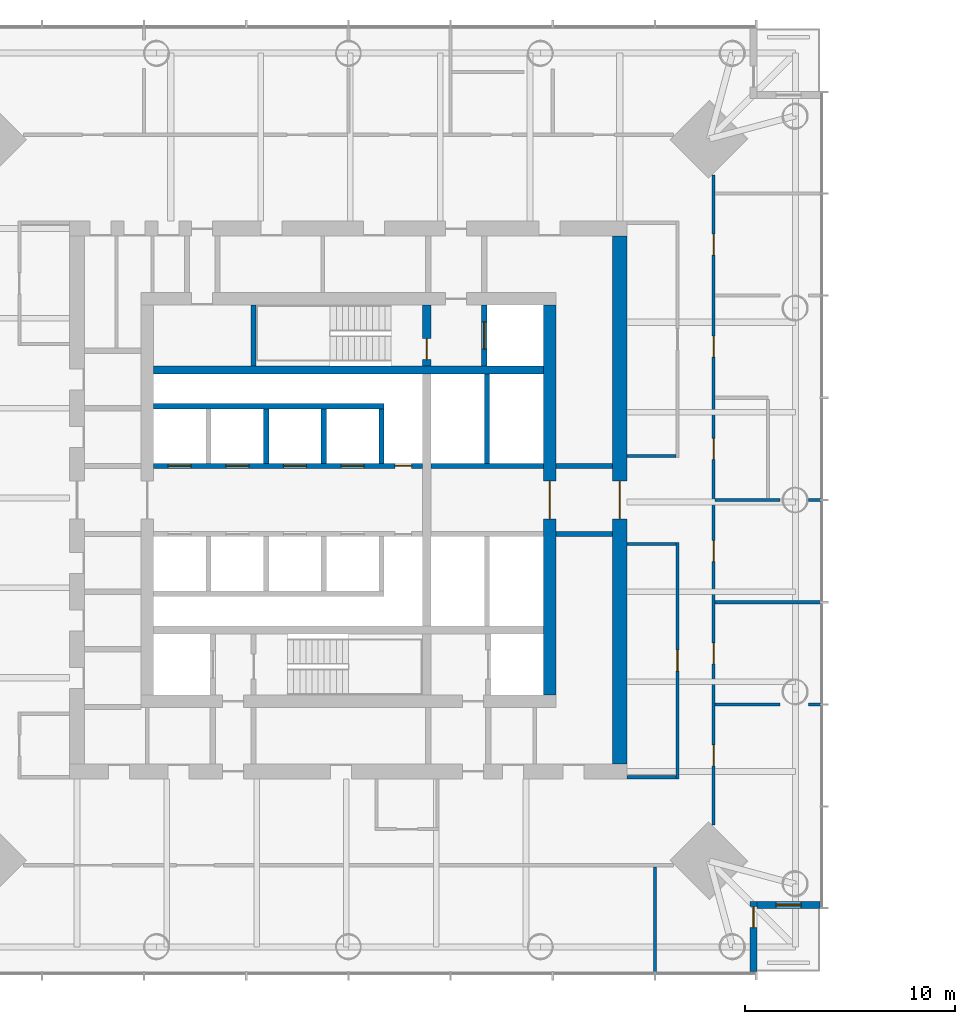
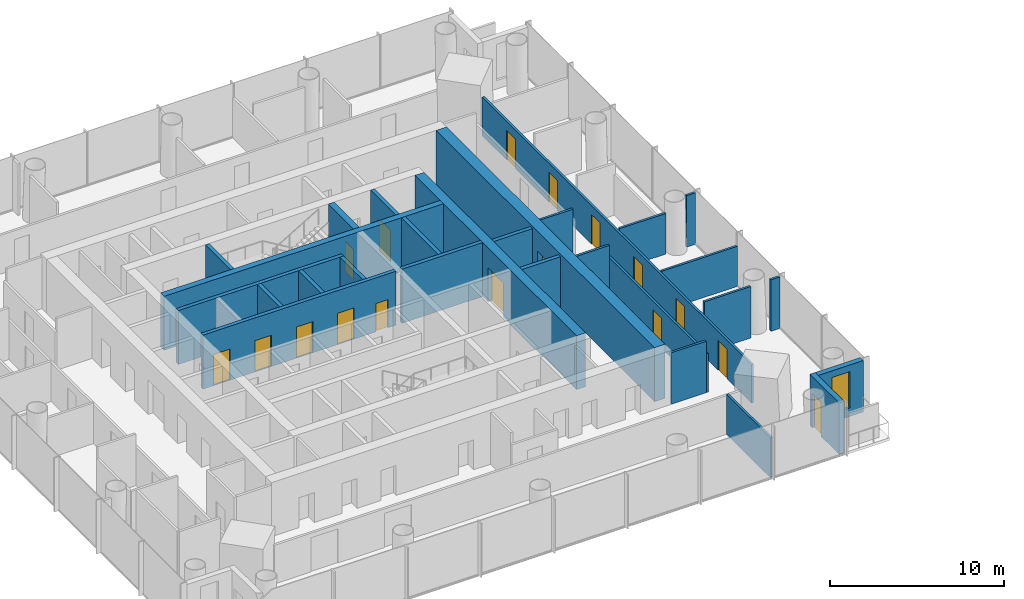
# One storey, part 10 of 18: 28 walls, 17 doors, 1 window, 18 openings.
"""IFC4 building model written with IfcOpenShell, lengths in metres."""

from ifc_helpers import new_model, si_unit, direction, frame, frame_2d, origin, place, context, subcontext, project, spatial, rectangle, extrude, material, layer, layer_set, type_object, element, fill, save


model = new_model("IFC4")

# Units and contexts
model_context = context("Model", 3, precision=1e-05, world=origin(), true_north=direction((0.0, 1.0)))
body_context = subcontext(model_context, "Body", "Model", "MODEL_VIEW")
ifc_project = project(units=[si_unit("LENGTHUNIT", "METRE"), si_unit("AREAUNIT", "SQUARE_METRE"), si_unit("VOLUMEUNIT", "CUBIC_METRE"), si_unit("PLANEANGLEUNIT", "RADIAN"), si_unit("MASSUNIT", "GRAM", prefix="KILO")], contexts=[model_context])

# Site, building, storey
site_placement = place(None, origin())
site = spatial("IfcSite", under=ifc_project, at=site_placement, CompositionType="ELEMENT")
building_placement = place(site_placement, origin())
building = spatial("IfcBuilding", under=site, at=building_placement, Name="Ostroluk Exchange", CompositionType="ELEMENT")
storey_placement = place(building_placement, frame((0.0, 0.0, 104.60009765625)))
storey = spatial("IfcBuildingStorey", under=building, at=storey_placement, Name="L26", CompositionType="ELEMENT", Elevation=104.60009765625)

# Walls
ifc_material_1 = material(Name="Concrete blockwork", Category="masonry")
ifc_layer_1 = layer(ifc_material_1, 0.25)
ifc_layer_set_1 = layer_set([ifc_layer_1], Name="Blockwork stair enclosure wall 250")
wall_type_1 = type_object("IfcWallType", Name="Blockwork stair enclosure wall 250", PredefinedType="SOLIDWALL", material=ifc_layer_set_1)
for number, where, z_axis, x_axis, name in (
    (1, (54.89990234375, 44.375, 0.0), (0.0, 0.0, 1.0), (1.0, 0.0, 0.0), "Lift lobby enclosure wall"),
    (2, (54.89990234375, 47.625, 0.0), (0.0, 0.0, 1.0), (1.0, 0.0, 0.0), "Lift lobby enclosure wall"),
):
    element("IfcWall", number, at=place(storey_placement, frame(where, z_axis=z_axis, x_axis=x_axis)), inside=storey, type_object=wall_type_1, Name=name, PredefinedType="SOLIDWALL", context=body_context, shape_type="SweptSolid", body=[
        extrude(rectangle(XDim=2.7001953125, YDim=0.25, at=frame_2d((1.35009765625, 0.0))), origin(), (0.0, 0.0, 1.0), 3.619873046875),
    ])
ifc_material_2 = material(Name="Concrete C50/60", Category="concrete")
ifc_layer_2 = layer(ifc_material_2, 0.39990234375)
ifc_layer_set_2 = layer_set([ifc_layer_2], Name="Core cross wall 400 C50/60")
wall_type_2 = type_object("IfcWallType", Name="Core cross wall 400 C50/60", PredefinedType="SHEAR", material=ifc_layer_set_2)
wall_1_placement = place(storey_placement, frame((35.699951171875, 52.199951171875, 0.0), z_axis=(0.0, 0.0, 1.0), x_axis=(1.0, 0.0, 0.0)))
element("IfcWall", 3, at=wall_1_placement, inside=storey, type_object=wall_type_2, Name="T1 core wall XN", PredefinedType="SHEAR", context=body_context, shape_type="SweptSolid", body=[
    extrude(rectangle(XDim=18.60009765625, YDim=0.39990234375, at=frame_2d((9.300048828125, 0.0))), origin(), (0.0, 0.0, 1.0), 3.7998046875),
])

# Wall, opening, door
wall_2_placement = place(storey_placement, frame((48.72998046875, 52.39990234375, 0.0), z_axis=(0.0, 0.0, 1.0), x_axis=(0.0, 1.0, 0.0)))
wall_2 = element("IfcWall", 4, at=wall_2_placement, inside=storey, type_object=wall_type_2, Name="T1 core wall YE3", PredefinedType="SHEAR", context=body_context, shape_type="SweptSolid", body=[
    extrude(rectangle(XDim=2.900146484375, YDim=0.39990234375, at=frame_2d((1.4501953125, 0.0))), origin(), (0.0, 0.0, 1.0), 3.7998046875),
])
opening_1_placement = place(wall_2_placement, frame((0.300048828125, 0.0, 0.0)))
opening_1 = element("IfcOpeningElement", 5, at=opening_1_placement, cuts=wall_2, Name="Opening FD60", PredefinedType="OPENING", context=body_context, shape_type="SweptSolid", body=[
    extrude(rectangle(XDim=1.0, YDim=2.10009765625, at=frame_2d((0.5, 1.050048828125))), frame((0.0, 0.2099609375, 0.0), z_axis=(0.0, -1.0, 0.0), x_axis=(1.0, 0.0, 0.0)), (0.0, 0.0, 1.0), 0.419921875),
])
ifc_material_3 = material(Name="Steel", Category="steel")
door_type_1 = type_object("IfcDoorType", Name="Fire door EI 60 1000 x 2100", OperationType="SINGLE_SWING_LEFT", PredefinedType="DOOR", material=ifc_material_3)
door_1_placement = place(opening_1_placement, origin())
door_1 = element("IfcDoor", 6, at=door_1_placement, inside=storey, type_object=door_type_1, Name="Stair T1-S2 door", OperationType="SINGLE_SWING_LEFT", OverallHeight=2.10009765625, OverallWidth=1.0, PredefinedType="DOOR", context=body_context, shape_type="SweptSolid", body=[
    extrude(rectangle(XDim=1.0, YDim=2.10009765625, at=frame_2d((0.5, 1.050048828125))), frame((0.0, 0.02490234375, 0.0), z_axis=(0.0, -1.0, 0.0), x_axis=(1.0, 0.0, 0.0)), (0.0, 0.0, 1.0), 0.050048828125),
])
fill(opening_1, door_1)

# Wall
ifc_material_4 = material(Name="Concrete C40/50", Category="concrete")
ifc_layer_3 = layer(ifc_material_4, 0.25)
ifc_layer_set_3 = layer_set([ifc_layer_3], Name="Core shaft wall 250")
wall_type_3 = type_object("IfcWallType", Name="Core shaft wall 250", PredefinedType="SHEAR", material=ifc_layer_set_3)
wall_3_placement = place(storey_placement, frame((40.47509765625, 52.39990234375, 0.0), z_axis=(0.0, 0.0, 1.0), x_axis=(0.0, 1.0, 0.0)))
element("IfcWall", 7, at=wall_3_placement, inside=storey, type_object=wall_type_3, Name="Stair shaft wall", PredefinedType="SHEAR", context=body_context, shape_type="SweptSolid", body=[
    extrude(rectangle(XDim=2.900146484375, YDim=0.25, at=frame_2d((1.4501953125, 0.0))), origin(), (0.0, 0.0, 1.0), 3.7998046875),
])

# Wall, opening, door
wall_4_placement = place(storey_placement, frame((51.47509765625, 52.39990234375, 0.0), z_axis=(0.0, 0.0, 1.0), x_axis=(0.0, 1.0, 0.0)))
wall_4 = element("IfcWall", 8, at=wall_4_placement, inside=storey, type_object=wall_type_3, Name="Firefighting lift shaft wall", PredefinedType="SHEAR", context=body_context, shape_type="SweptSolid", body=[
    extrude(rectangle(XDim=2.900146484375, YDim=0.25, at=frame_2d((1.4501953125, 0.0))), origin(), (0.0, 0.0, 1.0), 3.7998046875),
])
opening_2_placement = place(wall_4_placement, frame((0.800048828125, 0.0, 0.0)))
opening_2 = element("IfcOpeningElement", 9, at=opening_2_placement, cuts=wall_4, Name="Opening LD2", PredefinedType="OPENING", context=body_context, shape_type="SweptSolid", body=[
    extrude(rectangle(XDim=1.300048828125, YDim=2.199951171875, at=frame_2d((0.64990234375, 1.10009765625))), frame((0.0, 0.135009765625, 0.0), z_axis=(0.0, -1.0, 0.0), x_axis=(1.0, 0.0, 0.0)), (0.0, 0.0, 1.0), 0.27001953125),
])
ifc_material_5 = material(Name="Stainless steel", Category="steel")
door_type_2 = type_object("IfcDoorType", Name="Lift landing door E 60 1300 x 2200", OperationType="DOUBLE_DOOR_SLIDING", PredefinedType="DOOR", material=ifc_material_5)
door_2_placement = place(opening_2_placement, origin())
door_2 = element("IfcDoor", 10, at=door_2_placement, inside=storey, type_object=door_type_2, Name="Lift FL2 landing door", OperationType="DOUBLE_DOOR_SLIDING", OverallHeight=2.199951171875, OverallWidth=1.300048828125, PredefinedType="DOOR", context=body_context, shape_type="SweptSolid", body=[
    extrude(rectangle(XDim=1.300048828125, YDim=2.199951171875, at=frame_2d((0.64990234375, 1.10009765625))), frame((0.0, 0.02490234375, 0.0), z_axis=(0.0, -1.0, 0.0), x_axis=(1.0, 0.0, 0.0)), (0.0, 0.0, 1.0), 0.050048828125),
])
fill(opening_2, door_2)

# Walls
for number, where, z_axis, x_axis, name in (
    (11, (41.074951171875, 47.75, 0.0), (0.0, 0.0, 1.0), (0.0, 1.0, 0.0), "Lift shaft wall"),
    (12, (43.824951171875, 47.75, 0.0), (0.0, 0.0, 1.0), (0.0, 1.0, 0.0), "Lift shaft wall"),
    (13, (46.574951171875, 47.75, 0.0), (0.0, 0.0, 1.0), (0.0, 1.0, 0.0), "Lift shaft wall"),
):
    element("IfcWall", number, at=place(storey_placement, frame(where, z_axis=z_axis, x_axis=x_axis)), inside=storey, type_object=wall_type_3, Name=name, PredefinedType="SHEAR", context=body_context, shape_type="SweptSolid", body=[
        extrude(rectangle(XDim=2.60009765625, YDim=0.25, at=frame_2d((1.300048828125, 0.0))), origin(), (0.0, 0.0, 1.0), 3.7998046875),
    ])
wall_5_placement = place(storey_placement, frame((35.699951171875, 50.47509765625, 0.0), z_axis=(0.0, 0.0, 1.0), x_axis=(1.0, 0.0, 0.0)))
element("IfcWall", 14, at=wall_5_placement, inside=storey, type_object=wall_type_3, Name="Lift shaft wall", PredefinedType="SHEAR", context=body_context, shape_type="SweptSolid", body=[
    extrude(rectangle(XDim=11.0, YDim=0.25, at=frame_2d((5.5, 0.0))), origin(), (0.0, 0.0, 1.0), 3.7998046875),
])

# Wall, openings, doors
wall_6_placement = place(storey_placement, frame((35.699951171875, 47.625, 0.0), z_axis=(0.0, 0.0, 1.0), x_axis=(1.0, 0.0, 0.0)))
wall_6 = element("IfcWall", 15, at=wall_6_placement, inside=storey, type_object=wall_type_3, Name="Lift shaft front wall", PredefinedType="SHEAR", context=body_context, shape_type="SweptSolid", body=[
    extrude(rectangle(XDim=12.830078125, YDim=0.25, at=frame_2d((6.4150390625, 0.0))), origin(), (0.0, 0.0, 1.0), 3.7998046875),
])
opening_3_placement = place(wall_6_placement, frame((0.699951171875, 0.0, 0.0)))
opening_3 = element("IfcOpeningElement", 16, at=opening_3_placement, cuts=wall_6, Name="Opening LD", PredefinedType="OPENING", context=body_context, shape_type="SweptSolid", body=[
    extrude(rectangle(XDim=1.10009765625, YDim=2.199951171875, at=frame_2d((0.550048828125, 1.10009765625))), frame((0.0, 0.135009765625, 0.0), z_axis=(0.0, -1.0, 0.0), x_axis=(1.0, 0.0, 0.0)), (0.0, 0.0, 1.0), 0.27001953125),
])
opening_4_placement = place(wall_6_placement, frame((3.449951171875, 0.0, 0.0)))
opening_4 = element("IfcOpeningElement", 17, at=opening_4_placement, cuts=wall_6, Name="Opening LD", PredefinedType="OPENING", context=body_context, shape_type="SweptSolid", body=[
    extrude(rectangle(XDim=1.10009765625, YDim=2.199951171875, at=frame_2d((0.550048828125, 1.10009765625))), frame((0.0, 0.135009765625, 0.0), z_axis=(0.0, -1.0, 0.0), x_axis=(1.0, 0.0, 0.0)), (0.0, 0.0, 1.0), 0.27001953125),
])
opening_5_placement = place(wall_6_placement, frame((6.199951171875, 0.0, 0.0)))
opening_5 = element("IfcOpeningElement", 18, at=opening_5_placement, cuts=wall_6, Name="Opening LD", PredefinedType="OPENING", context=body_context, shape_type="SweptSolid", body=[
    extrude(rectangle(XDim=1.10009765625, YDim=2.199951171875, at=frame_2d((0.550048828125, 1.10009765625))), frame((0.0, 0.135009765625, 0.0), z_axis=(0.0, -1.0, 0.0), x_axis=(1.0, 0.0, 0.0)), (0.0, 0.0, 1.0), 0.27001953125),
])
opening_6_placement = place(wall_6_placement, frame((8.949951171875, 0.0, 0.0)))
opening_6 = element("IfcOpeningElement", 19, at=opening_6_placement, cuts=wall_6, Name="Opening LD", PredefinedType="OPENING", context=body_context, shape_type="SweptSolid", body=[
    extrude(rectangle(XDim=1.10009765625, YDim=2.199951171875, at=frame_2d((0.550048828125, 1.10009765625))), frame((0.0, 0.135009765625, 0.0), z_axis=(0.0, -1.0, 0.0), x_axis=(1.0, 0.0, 0.0)), (0.0, 0.0, 1.0), 0.27001953125),
])
opening_7_placement = place(wall_6_placement, frame((11.514892578125, 0.0, 0.0)))
opening_7 = element("IfcOpeningElement", 20, at=opening_7_placement, cuts=wall_6, Name="Opening RD60", PredefinedType="OPENING", context=body_context, shape_type="SweptSolid", body=[
    extrude(rectangle(XDim=0.800048828125, YDim=2.0, at=frame_2d((0.39990234375, 1.0))), frame((0.0, 0.135009765625, 0.0), z_axis=(0.0, -1.0, 0.0), x_axis=(1.0, 0.0, 0.0)), (0.0, 0.0, 1.0), 0.27001953125),
])
ifc_material_6 = material(Name="Stainless steel", Category="steel")
door_type_3 = type_object("IfcDoorType", Name="Lift landing door E 60 1100 x 2200", OperationType="DOUBLE_DOOR_SLIDING", PredefinedType="DOOR", material=ifc_material_6)
door_3_placement = place(opening_3_placement, origin())
door_3 = element("IfcDoor", 21, at=door_3_placement, inside=storey, type_object=door_type_3, Name="Lift PL-M1 landing door", OperationType="DOUBLE_DOOR_SLIDING", OverallHeight=2.199951171875, OverallWidth=1.10009765625, PredefinedType="DOOR", context=body_context, shape_type="SweptSolid", body=[
    extrude(rectangle(XDim=1.10009765625, YDim=2.199951171875, at=frame_2d((0.550048828125, 1.10009765625))), frame((0.0, 0.02490234375, 0.0), z_axis=(0.0, -1.0, 0.0), x_axis=(1.0, 0.0, 0.0)), (0.0, 0.0, 1.0), 0.050048828125),
])
fill(opening_3, door_3)
door_4_placement = place(opening_4_placement, origin())
door_4 = element("IfcDoor", 22, at=door_4_placement, inside=storey, type_object=door_type_3, Name="Lift PL-M2 landing door", OperationType="DOUBLE_DOOR_SLIDING", OverallHeight=2.199951171875, OverallWidth=1.10009765625, PredefinedType="DOOR", context=body_context, shape_type="SweptSolid", body=[
    extrude(rectangle(XDim=1.10009765625, YDim=2.199951171875, at=frame_2d((0.550048828125, 1.10009765625))), frame((0.0, 0.02490234375, 0.0), z_axis=(0.0, -1.0, 0.0), x_axis=(1.0, 0.0, 0.0)), (0.0, 0.0, 1.0), 0.050048828125),
])
fill(opening_4, door_4)
door_5_placement = place(opening_5_placement, origin())
door_5 = element("IfcDoor", 23, at=door_5_placement, inside=storey, type_object=door_type_3, Name="Lift PL-M3 landing door", OperationType="DOUBLE_DOOR_SLIDING", OverallHeight=2.199951171875, OverallWidth=1.10009765625, PredefinedType="DOOR", context=body_context, shape_type="SweptSolid", body=[
    extrude(rectangle(XDim=1.10009765625, YDim=2.199951171875, at=frame_2d((0.550048828125, 1.10009765625))), frame((0.0, 0.02490234375, 0.0), z_axis=(0.0, -1.0, 0.0), x_axis=(1.0, 0.0, 0.0)), (0.0, 0.0, 1.0), 0.050048828125),
])
fill(opening_5, door_5)
door_6_placement = place(opening_6_placement, origin())
door_6 = element("IfcDoor", 24, at=door_6_placement, inside=storey, type_object=door_type_3, Name="Lift PL-M4 landing door", OperationType="DOUBLE_DOOR_SLIDING", OverallHeight=2.199951171875, OverallWidth=1.10009765625, PredefinedType="DOOR", context=body_context, shape_type="SweptSolid", body=[
    extrude(rectangle(XDim=1.10009765625, YDim=2.199951171875, at=frame_2d((0.550048828125, 1.10009765625))), frame((0.0, 0.02490234375, 0.0), z_axis=(0.0, -1.0, 0.0), x_axis=(1.0, 0.0, 0.0)), (0.0, 0.0, 1.0), 0.050048828125),
])
fill(opening_6, door_6)
ifc_material_7 = material(Name="Steel", Category="steel")
door_type_4 = type_object("IfcDoorType", Name="Riser access door EI 60 800 x 2000", OperationType="SINGLE_SWING_LEFT", PredefinedType="DOOR", material=ifc_material_7)
door_7_placement = place(opening_7_placement, origin())
door_7 = element("IfcDoor", 25, at=door_7_placement, inside=storey, type_object=door_type_4, Name="Riser access door", OperationType="SINGLE_SWING_RIGHT", OverallHeight=2.0, OverallWidth=0.800048828125, PredefinedType="DOOR", context=body_context, shape_type="SweptSolid", body=[
    extrude(rectangle(XDim=0.800048828125, YDim=2.0, at=frame_2d((0.39990234375, 1.0))), frame((0.0, 0.02490234375, 0.0), z_axis=(0.0, -1.0, 0.0), x_axis=(1.0, 0.0, 0.0)), (0.0, 0.0, 1.0), 0.050048828125),
])
fill(opening_7, door_7)

# Walls
wall_7_placement = place(storey_placement, frame((51.614990234375, 47.75, 0.0), z_axis=(0.0, 0.0, 1.0), x_axis=(0.0, 1.0, 0.0)))
element("IfcWall", 26, at=wall_7_placement, inside=storey, type_object=wall_type_3, Name="Lift shaft wall", PredefinedType="SHEAR", context=body_context, shape_type="SweptSolid", body=[
    extrude(rectangle(XDim=4.25, YDim=0.25, at=frame_2d((2.125, 0.0))), origin(), (0.0, 0.0, 1.0), 3.7998046875),
])
wall_8_placement = place(storey_placement, frame((48.929931640625, 47.625, 0.0), z_axis=(0.0, 0.0, 1.0), x_axis=(1.0, 0.0, 0.0)))
element("IfcWall", 27, at=wall_8_placement, inside=storey, type_object=wall_type_3, Name="Lift shaft front wall", PredefinedType="SHEAR", context=body_context, shape_type="SweptSolid", body=[
    extrude(rectangle(XDim=5.3701171875, YDim=0.25, at=frame_2d((2.68505859375, 0.0))), origin(), (0.0, 0.0, 1.0), 3.7998046875),
])

# Wall, opening, door
ifc_material_8 = material(Name="Concrete C50/60", Category="concrete")
ifc_layer_4 = layer(ifc_material_8, 0.60009765625)
ifc_layer_set_4 = layer_set([ifc_layer_4], Name="Core wall 600 C50/60")
wall_type_4 = type_object("IfcWallType", Name="Core wall 600 C50/60", PredefinedType="SHEAR", material=ifc_layer_set_4)
wall_9_placement = place(storey_placement, frame((54.60009765625, 36.699951171875, 0.0), z_axis=(0.0, 0.0, 1.0), x_axis=(0.0, 1.0, 0.0)))
wall_9 = element("IfcWall", 28, at=wall_9_placement, inside=storey, type_object=wall_type_4, Name="T1 core wall E", PredefinedType="SHEAR", context=body_context, shape_type="SweptSolid", body=[
    extrude(rectangle(XDim=18.60009765625, YDim=0.60009765625, at=frame_2d((9.300048828125, 0.0))), origin(), (0.0, 0.0, 1.0), 3.7998046875),
])
opening_8_placement = place(wall_9_placement, frame((8.39990234375, 0.0, 0.0)))
opening_8 = element("IfcOpeningElement", 29, at=opening_8_placement, cuts=wall_9, Name="Opening FD30D", PredefinedType="OPENING", context=body_context, shape_type="SweptSolid", body=[
    extrude(rectangle(XDim=1.800048828125, YDim=2.39990234375, at=frame_2d((0.89990234375, 1.199951171875))), frame((0.0, 0.31005859375, 0.0), z_axis=(0.0, -1.0, 0.0), x_axis=(1.0, 0.0, 0.0)), (0.0, 0.0, 1.0), 0.6201171875),
])
ifc_material_9 = material(Name="Timber", Category="wood")
door_type_5 = type_object("IfcDoorType", Name="Lobby double door EI 30 1800 x 2400", OperationType="DOUBLE_DOOR_SINGLE_SWING", PredefinedType="DOOR", material=ifc_material_9)
door_8_placement = place(opening_8_placement, origin())
door_8 = element("IfcDoor", 30, at=door_8_placement, inside=storey, type_object=door_type_5, Name="Lift lobby doors", OperationType="DOUBLE_DOOR_SINGLE_SWING", OverallHeight=2.39990234375, OverallWidth=1.800048828125, PredefinedType="DOOR", context=body_context, shape_type="SweptSolid", body=[
    extrude(rectangle(XDim=1.800048828125, YDim=2.39990234375, at=frame_2d((0.89990234375, 1.199951171875))), frame((0.0, 0.02490234375, 0.0), z_axis=(0.0, -1.0, 0.0), x_axis=(1.0, 0.0, 0.0)), (0.0, 0.0, 1.0), 0.050048828125),
])
fill(opening_8, door_8)

ifc_material_10 = material(Name="Concrete C50/60", Category="concrete")
ifc_layer_5 = layer(ifc_material_10, 0.699951171875)
ifc_layer_set_5 = layer_set([ifc_layer_5], Name="Core wall 700 C50/60")
wall_type_5 = type_object("IfcWallType", Name="Core wall 700 C50/60", PredefinedType="SHEAR", material=ifc_layer_set_5)
wall_10_placement = place(storey_placement, frame((57.949951171875, 33.39990234375, 0.0), z_axis=(0.0, 0.0, 1.0), x_axis=(0.0, 1.0, 0.0)))
wall_10 = element("IfcWall", 31, at=wall_10_placement, inside=storey, type_object=wall_type_5, Name="T1 core wall RE", PredefinedType="SHEAR", context=body_context, shape_type="SweptSolid", body=[
    extrude(rectangle(XDim=25.2001953125, YDim=0.699951171875, at=frame_2d((12.60009765625, 0.0))), origin(), (0.0, 0.0, 1.0), 3.7998046875),
])
opening_9_placement = place(wall_10_placement, frame((11.699951171875, 0.0, 0.0)))
opening_9 = element("IfcOpeningElement", 32, at=opening_9_placement, cuts=wall_10, Name="Opening FD30D", PredefinedType="OPENING", context=body_context, shape_type="SweptSolid", body=[
    extrude(rectangle(XDim=1.800048828125, YDim=2.39990234375, at=frame_2d((0.89990234375, 1.199951171875))), frame((0.0, 0.35986328125, 0.0), z_axis=(0.0, -1.0, 0.0), x_axis=(1.0, 0.0, 0.0)), (0.0, 0.0, 1.0), 0.719970703125),
])
door_9_placement = place(opening_9_placement, origin())
door_9 = element("IfcDoor", 33, at=door_9_placement, inside=storey, type_object=door_type_5, Name="Lift lobby doors", OperationType="DOUBLE_DOOR_SINGLE_SWING", OverallHeight=2.39990234375, OverallWidth=1.800048828125, PredefinedType="DOOR", context=body_context, shape_type="SweptSolid", body=[
    extrude(rectangle(XDim=1.800048828125, YDim=2.39990234375, at=frame_2d((0.89990234375, 1.199951171875))), frame((0.0, 0.02490234375, 0.0), z_axis=(0.0, -1.0, 0.0), x_axis=(1.0, 0.0, 0.0)), (0.0, 0.0, 1.0), 0.050048828125),
])
fill(opening_9, door_9)

ifc_material_11 = material(Name="Limestone", Category="masonry")
ifc_layer_6 = layer(ifc_material_11, 0.35009765625)
ifc_layer_set_6 = layer_set([ifc_layer_6], Name="Limestone facade wall 350")
wall_type_6 = type_object("IfcWallType", Name="Limestone facade wall 350", PredefinedType="SOLIDWALL", material=ifc_layer_set_6)
wall_11_placement = place(storey_placement, frame((64.324951171875, 23.5, 0.0), z_axis=(0.0, 0.0, 1.0), x_axis=(0.0, 1.0, 0.0)))
wall_11 = element("IfcWall", 34, at=wall_11_placement, inside=storey, type_object=wall_type_6, Name="Office tower SE corner wall L26 a", PredefinedType="SOLIDWALL", context=body_context, shape_type="SweptSolid", body=[
    extrude(rectangle(XDim=3.35009765625, YDim=0.35009765625, at=frame_2d((1.675048828125, 0.0))), origin(), (0.0, 0.0, 1.0), 3.619873046875),
])
opening_10_placement = place(wall_11_placement, frame((2.10009765625, 0.0, 0.0)))
opening_10 = element("IfcOpeningElement", 35, at=opening_10_placement, cuts=wall_11, Name="Opening D-B1", PredefinedType="OPENING", context=body_context, shape_type="SweptSolid", body=[
    extrude(rectangle(XDim=1.0, YDim=2.39990234375, at=frame_2d((0.5, 1.199951171875))), frame((0.0, 0.18505859375, 0.0), z_axis=(0.0, -1.0, 0.0), x_axis=(1.0, 0.0, 0.0)), (0.0, 0.0, 1.0), 0.3701171875),
])
ifc_material_12 = material(Name="Bronze framed glazed door", Category="aluminium")
door_type_6 = type_object("IfcDoorType", Name="Balcony door 1000 x 2400", OperationType="SINGLE_SWING_LEFT", PredefinedType="DOOR", material=ifc_material_12)
door_10_placement = place(opening_10_placement, origin())
door_10 = element("IfcDoor", 36, at=door_10_placement, inside=storey, type_object=door_type_6, Name="Office tower SE balcony door L26", OperationType="SINGLE_SWING_RIGHT", OverallHeight=2.39990234375, OverallWidth=1.0, PredefinedType="DOOR", context=body_context, shape_type="SweptSolid", body=[
    extrude(rectangle(XDim=1.0, YDim=2.39990234375, at=frame_2d((0.5, 1.199951171875))), frame((0.0, 0.02490234375, 0.0), z_axis=(0.0, -1.0, 0.0), x_axis=(1.0, 0.0, 0.0)), (0.0, 0.0, 1.0), 0.050048828125),
])
fill(opening_10, door_10)

# Wall, opening, window
wall_12_placement = place(storey_placement, frame((64.5, 26.675048828125, 0.0), z_axis=(0.0, 0.0, 1.0), x_axis=(1.0, 0.0, 0.0)))
wall_12 = element("IfcWall", 37, at=wall_12_placement, inside=storey, type_object=wall_type_6, Name="Office tower SE corner wall L26 b", PredefinedType="SOLIDWALL", context=body_context, shape_type="SweptSolid", body=[
    extrude(rectangle(XDim=3.0, YDim=0.35009765625, at=frame_2d((1.5, 0.0))), origin(), (0.0, 0.0, 1.0), 3.619873046875),
])
opening_11_placement = place(wall_12_placement, frame((0.89990234375, 0.0, 0.60009765625)))
opening_11 = element("IfcOpeningElement", 38, at=opening_11_placement, cuts=wall_12, Name="Opening WN-L1", PredefinedType="OPENING", context=body_context, shape_type="SweptSolid", body=[
    extrude(rectangle(XDim=1.199951171875, YDim=2.550048828125, at=frame_2d((0.60009765625, 1.27490234375))), frame((0.0, 0.18505859375, 0.0), z_axis=(0.0, -1.0, 0.0), x_axis=(1.0, 0.0, 0.0)), (0.0, 0.0, 1.0), 0.3701171875),
])
ifc_material_13 = material(Name="Laminated clear glass", Category="glass")
window_type = type_object("IfcWindowType", Name="Lancet window 1200 x 2550", PartitioningType="SINGLE_PANEL", PredefinedType="WINDOW", material=ifc_material_13)
window_placement = place(opening_11_placement, origin())
window = element("IfcWindow", 39, at=window_placement, inside=storey, type_object=window_type, Name="Office tower SE lancet window L26", OverallHeight=2.550048828125, OverallWidth=1.199951171875, PartitioningType="SINGLE_PANEL", PredefinedType="WINDOW", context=body_context, shape_type="SweptSolid", body=[
    extrude(rectangle(XDim=1.199951171875, YDim=2.550048828125, at=frame_2d((0.60009765625, 1.27490234375))), frame((0.0, 0.030029296875, 0.0), z_axis=(0.0, -1.0, 0.0), x_axis=(1.0, 0.0, 0.0)), (0.0, 0.0, 1.0), 0.06005859375),
])
fill(opening_11, window)

# Wall, opening, door
ifc_material_14 = material(Name="Gypsum plasterboard partition", Category="gypsum")
ifc_layer_7 = layer(ifc_material_14, 0.14990234375)
ifc_layer_set_7 = layer_set([ifc_layer_7], Name="Plasterboard partition 150")
wall_type_7 = type_object("IfcWallType", Name="Plasterboard partition 150", PredefinedType="PARTITIONING", material=ifc_layer_set_7)
wall_13_placement = place(storey_placement, frame((60.699951171875, 32.699951171875, 0.0), z_axis=(0.0, 0.0, 1.0), x_axis=(0.0, 1.0, 0.0)))
wall_13 = element("IfcWall", 40, at=wall_13_placement, inside=storey, type_object=wall_type_7, Name="Partition", PredefinedType="PARTITIONING", context=body_context, shape_type="SweptSolid", body=[
    extrude(rectangle(XDim=11.275146484375, YDim=0.14990234375, at=frame_2d((5.6376953125, 0.0))), origin(), (0.0, 0.0, 1.0), 2.719970703125),
])
opening_12_placement = place(wall_13_placement, frame((5.137451171875, 0.0, 0.0)))
opening_12 = element("IfcOpeningElement", 41, at=opening_12_placement, cuts=wall_13, Name="Opening D-03", PredefinedType="OPENING", context=body_context, shape_type="SweptSolid", body=[
    extrude(rectangle(XDim=1.0, YDim=2.10009765625, at=frame_2d((0.5, 1.050048828125))), frame((0.0, 0.0849609375, 0.0), z_axis=(0.0, -1.0, 0.0), x_axis=(1.0, 0.0, 0.0)), (0.0, 0.0, 1.0), 0.169921875),
])
ifc_material_15 = material(Name="Timber", Category="wood")
door_type_7 = type_object("IfcDoorType", Name="Internal door 1000 x 2100", OperationType="SINGLE_SWING_LEFT", PredefinedType="DOOR", material=ifc_material_15)
door_11_placement = place(opening_12_placement, origin())
door_11 = element("IfcDoor", 42, at=door_11_placement, inside=storey, type_object=door_type_7, Name="Quiet room door", OperationType="SINGLE_SWING_RIGHT", OverallHeight=2.10009765625, OverallWidth=1.0, PredefinedType="DOOR", context=body_context, shape_type="SweptSolid", body=[
    extrude(rectangle(XDim=1.0, YDim=2.10009765625, at=frame_2d((0.5, 1.050048828125))), frame((0.0, 0.02490234375, 0.0), z_axis=(0.0, -1.0, 0.0), x_axis=(1.0, 0.0, 0.0)), (0.0, 0.0, 1.0), 0.050048828125),
])
fill(opening_12, door_11)

# Walls
for number, where, z_axis, x_axis, name in (
    (43, (58.300048828125, 32.77490234375, 0.0), (0.0, 0.0, 1.0), (1.0, 0.0, 0.0), "Partition"),
    (44, (58.300048828125, 43.89990234375, 0.0), (0.0, 0.0, 1.0), (1.0, 0.0, 0.0), "Partition"),
    (45, (58.300048828125, 48.10009765625, 0.0), (0.0, 0.0, 1.0), (1.0, 0.0, 0.0), "Partition"),
):
    element("IfcWall", number, at=place(storey_placement, frame(where, z_axis=z_axis, x_axis=x_axis)), inside=storey, type_object=wall_type_7, Name=name, PredefinedType="PARTITIONING", context=body_context, shape_type="SweptSolid", body=[
        extrude(rectangle(XDim=2.324951171875, YDim=0.14990234375, at=frame_2d((1.16259765625, 0.0))), origin(), (0.0, 0.0, 1.0), 3.619873046875),
    ])

# Wall, openings, doors
wall_14_placement = place(storey_placement, frame((62.425048828125, 30.488525390625, 0.0), z_axis=(0.0, 0.0, 1.0), x_axis=(0.0, 1.0, 0.0)))
wall_14 = element("IfcWall", 46, at=wall_14_placement, inside=storey, type_object=wall_type_7, Name="Partition", PredefinedType="PARTITIONING", context=body_context, shape_type="SweptSolid", body=[
    extrude(rectangle(XDim=31.02294921875, YDim=0.14990234375, at=frame_2d((15.511474609375, 0.0))), origin(), (0.0, 0.0, 1.0), 2.719970703125),
])
opening_13_placement = place(wall_14_placement, frame((2.823974609375, 0.0, 0.0)))
opening_13 = element("IfcOpeningElement", 47, at=opening_13_placement, cuts=wall_14, Name="Opening D-03", PredefinedType="OPENING", context=body_context, shape_type="SweptSolid", body=[
    extrude(rectangle(XDim=1.0, YDim=2.10009765625, at=frame_2d((0.5, 1.050048828125))), frame((0.0, 0.0849609375, 0.0), z_axis=(0.0, -1.0, 0.0), x_axis=(1.0, 0.0, 0.0)), (0.0, 0.0, 1.0), 0.169921875),
])
opening_14_placement = place(wall_14_placement, frame((7.698974609375, 0.0, 0.0)))
opening_14 = element("IfcOpeningElement", 48, at=opening_14_placement, cuts=wall_14, Name="Opening D-03", PredefinedType="OPENING", context=body_context, shape_type="SweptSolid", body=[
    extrude(rectangle(XDim=1.0, YDim=2.10009765625, at=frame_2d((0.5, 1.050048828125))), frame((0.0, 0.0849609375, 0.0), z_axis=(0.0, -1.0, 0.0), x_axis=(1.0, 0.0, 0.0)), (0.0, 0.0, 1.0), 0.169921875),
])
opening_15_placement = place(wall_14_placement, frame((12.573974609375, 0.0, 0.0)))
opening_15 = element("IfcOpeningElement", 49, at=opening_15_placement, cuts=wall_14, Name="Opening D-03", PredefinedType="OPENING", context=body_context, shape_type="SweptSolid", body=[
    extrude(rectangle(XDim=1.0, YDim=2.10009765625, at=frame_2d((0.5, 1.050048828125))), frame((0.0, 0.0849609375, 0.0), z_axis=(0.0, -1.0, 0.0), x_axis=(1.0, 0.0, 0.0)), (0.0, 0.0, 1.0), 0.169921875),
])
opening_16_placement = place(wall_14_placement, frame((17.448974609375, 0.0, 0.0)))
opening_16 = element("IfcOpeningElement", 50, at=opening_16_placement, cuts=wall_14, Name="Opening D-03", PredefinedType="OPENING", context=body_context, shape_type="SweptSolid", body=[
    extrude(rectangle(XDim=1.0, YDim=2.10009765625, at=frame_2d((0.5, 1.050048828125))), frame((0.0, 0.0849609375, 0.0), z_axis=(0.0, -1.0, 0.0), x_axis=(1.0, 0.0, 0.0)), (0.0, 0.0, 1.0), 0.169921875),
])
opening_17_placement = place(wall_14_placement, frame((22.323974609375, 0.0, 0.0)))
opening_17 = element("IfcOpeningElement", 51, at=opening_17_placement, cuts=wall_14, Name="Opening D-03", PredefinedType="OPENING", context=body_context, shape_type="SweptSolid", body=[
    extrude(rectangle(XDim=1.0, YDim=2.10009765625, at=frame_2d((0.5, 1.050048828125))), frame((0.0, 0.0849609375, 0.0), z_axis=(0.0, -1.0, 0.0), x_axis=(1.0, 0.0, 0.0)), (0.0, 0.0, 1.0), 0.169921875),
])
opening_18_placement = place(wall_14_placement, frame((27.198974609375, 0.0, 0.0)))
opening_18 = element("IfcOpeningElement", 52, at=opening_18_placement, cuts=wall_14, Name="Opening D-03", PredefinedType="OPENING", context=body_context, shape_type="SweptSolid", body=[
    extrude(rectangle(XDim=1.0, YDim=2.10009765625, at=frame_2d((0.5, 1.050048828125))), frame((0.0, 0.0849609375, 0.0), z_axis=(0.0, -1.0, 0.0), x_axis=(1.0, 0.0, 0.0)), (0.0, 0.0, 1.0), 0.169921875),
])
door_12_placement = place(opening_13_placement, origin())
door_12 = element("IfcDoor", 53, at=door_12_placement, inside=storey, type_object=door_type_7, Name="Office suite door", OperationType="SINGLE_SWING_LEFT", OverallHeight=2.10009765625, OverallWidth=1.0, PredefinedType="DOOR", context=body_context, shape_type="SweptSolid", body=[
    extrude(rectangle(XDim=1.0, YDim=2.10009765625, at=frame_2d((0.5, 1.050048828125))), frame((0.0, 0.02490234375, 0.0), z_axis=(0.0, -1.0, 0.0), x_axis=(1.0, 0.0, 0.0)), (0.0, 0.0, 1.0), 0.050048828125),
])
fill(opening_13, door_12)
door_13_placement = place(opening_14_placement, origin())
door_13 = element("IfcDoor", 54, at=door_13_placement, inside=storey, type_object=door_type_7, Name="Meeting room door", OperationType="SINGLE_SWING_LEFT", OverallHeight=2.10009765625, OverallWidth=1.0, PredefinedType="DOOR", context=body_context, shape_type="SweptSolid", body=[
    extrude(rectangle(XDim=1.0, YDim=2.10009765625, at=frame_2d((0.5, 1.050048828125))), frame((0.0, 0.02490234375, 0.0), z_axis=(0.0, -1.0, 0.0), x_axis=(1.0, 0.0, 0.0)), (0.0, 0.0, 1.0), 0.050048828125),
])
fill(opening_14, door_13)
door_14_placement = place(opening_15_placement, origin())
door_14 = element("IfcDoor", 55, at=door_14_placement, inside=storey, type_object=door_type_7, Name="Meeting room door", OperationType="SINGLE_SWING_LEFT", OverallHeight=2.10009765625, OverallWidth=1.0, PredefinedType="DOOR", context=body_context, shape_type="SweptSolid", body=[
    extrude(rectangle(XDim=1.0, YDim=2.10009765625, at=frame_2d((0.5, 1.050048828125))), frame((0.0, 0.02490234375, 0.0), z_axis=(0.0, -1.0, 0.0), x_axis=(1.0, 0.0, 0.0)), (0.0, 0.0, 1.0), 0.050048828125),
])
fill(opening_15, door_14)
door_15_placement = place(opening_16_placement, origin())
door_15 = element("IfcDoor", 56, at=door_15_placement, inside=storey, type_object=door_type_7, Name="Pantry door", OperationType="SINGLE_SWING_RIGHT", OverallHeight=2.10009765625, OverallWidth=1.0, PredefinedType="DOOR", context=body_context, shape_type="SweptSolid", body=[
    extrude(rectangle(XDim=1.0, YDim=2.10009765625, at=frame_2d((0.5, 1.050048828125))), frame((0.0, 0.02490234375, 0.0), z_axis=(0.0, -1.0, 0.0), x_axis=(1.0, 0.0, 0.0)), (0.0, 0.0, 1.0), 0.050048828125),
])
fill(opening_16, door_15)
door_16_placement = place(opening_17_placement, origin())
door_16 = element("IfcDoor", 57, at=door_16_placement, inside=storey, type_object=door_type_7, Name="Office door", OperationType="SINGLE_SWING_RIGHT", OverallHeight=2.10009765625, OverallWidth=1.0, PredefinedType="DOOR", context=body_context, shape_type="SweptSolid", body=[
    extrude(rectangle(XDim=1.0, YDim=2.10009765625, at=frame_2d((0.5, 1.050048828125))), frame((0.0, 0.02490234375, 0.0), z_axis=(0.0, -1.0, 0.0), x_axis=(1.0, 0.0, 0.0)), (0.0, 0.0, 1.0), 0.050048828125),
])
fill(opening_17, door_16)
door_17_placement = place(opening_18_placement, origin())
door_17 = element("IfcDoor", 58, at=door_17_placement, inside=storey, type_object=door_type_7, Name="Office door", OperationType="SINGLE_SWING_RIGHT", OverallHeight=2.10009765625, OverallWidth=1.0, PredefinedType="DOOR", context=body_context, shape_type="SweptSolid", body=[
    extrude(rectangle(XDim=1.0, YDim=2.10009765625, at=frame_2d((0.5, 1.050048828125))), frame((0.0, 0.02490234375, 0.0), z_axis=(0.0, -1.0, 0.0), x_axis=(1.0, 0.0, 0.0)), (0.0, 0.0, 1.0), 0.050048828125),
])
fill(opening_18, door_17)

# Walls
wall_15_placement = place(storey_placement, frame((62.5, 36.25, 0.0), z_axis=(0.0, 0.0, 1.0), x_axis=(1.0, 0.0, 0.0)))
element("IfcWall", 59, at=wall_15_placement, inside=storey, type_object=wall_type_7, Name="Partition", PredefinedType="PARTITIONING", context=body_context, shape_type="SweptSolid", body=[
    extrude(rectangle(XDim=3.09765625, YDim=0.14990234375, at=frame_2d((1.548828125, 0.0))), origin(), (0.0, 0.0, 1.0), 3.619873046875),
])
wall_16_placement = place(storey_placement, frame((66.93798828125, 36.25, 0.0), z_axis=(0.0, 0.0, 1.0), x_axis=(1.0, 0.0, 0.0)))
element("IfcWall", 60, at=wall_16_placement, inside=storey, type_object=wall_type_7, Name="Partition", PredefinedType="PARTITIONING", context=body_context, shape_type="SweptSolid", body=[
    extrude(rectangle(XDim=0.60205078125, YDim=0.14990234375, at=frame_2d((0.301025390625, 0.0))), origin(), (0.0, 0.0, 1.0), 3.619873046875),
])
wall_17_placement = place(storey_placement, frame((62.5, 41.125, 0.0), z_axis=(0.0, 0.0, 1.0), x_axis=(1.0, 0.0, 0.0)))
element("IfcWall", 61, at=wall_17_placement, inside=storey, type_object=wall_type_7, Name="Partition", PredefinedType="PARTITIONING", context=body_context, shape_type="SweptSolid", body=[
    extrude(rectangle(XDim=5.0400390625, YDim=0.14990234375, at=frame_2d((2.52001953125, 0.0))), origin(), (0.0, 0.0, 1.0), 2.81982421875),
])
wall_18_placement = place(storey_placement, frame((62.5, 46.0, 0.0), z_axis=(0.0, 0.0, 1.0), x_axis=(1.0, 0.0, 0.0)))
element("IfcWall", 62, at=wall_18_placement, inside=storey, type_object=wall_type_7, Name="Partition", PredefinedType="PARTITIONING", context=body_context, shape_type="SweptSolid", body=[
    extrude(rectangle(XDim=3.09765625, YDim=0.14990234375, at=frame_2d((1.548828125, 0.0))), origin(), (0.0, 0.0, 1.0), 2.85791015625),
])
wall_19_placement = place(storey_placement, frame((66.93798828125, 46.0, 0.0), z_axis=(0.0, 0.0, 1.0), x_axis=(1.0, 0.0, 0.0)))
element("IfcWall", 63, at=wall_19_placement, inside=storey, type_object=wall_type_7, Name="Partition", PredefinedType="PARTITIONING", context=body_context, shape_type="SweptSolid", body=[
    extrude(rectangle(XDim=0.60205078125, YDim=0.14990234375, at=frame_2d((0.301025390625, 0.0))), origin(), (0.0, 0.0, 1.0), 3.619873046875),
])
wall_20_placement = place(storey_placement, frame((59.625, 28.5, 0.0), z_axis=(0.0, 0.0, 1.0), x_axis=(0.0, -1.0, 0.0)))
element("IfcWall", 64, at=wall_20_placement, inside=storey, type_object=wall_type_7, Name="Partition", PredefinedType="PARTITIONING", context=body_context, shape_type="SweptSolid", body=[
    extrude(rectangle(XDim=5.0400390625, YDim=0.14990234375, at=frame_2d((2.52001953125, 0.0))), origin(), (0.0, 0.0, 1.0), 2.81982421875),
])

save(model, "model.ifc")
